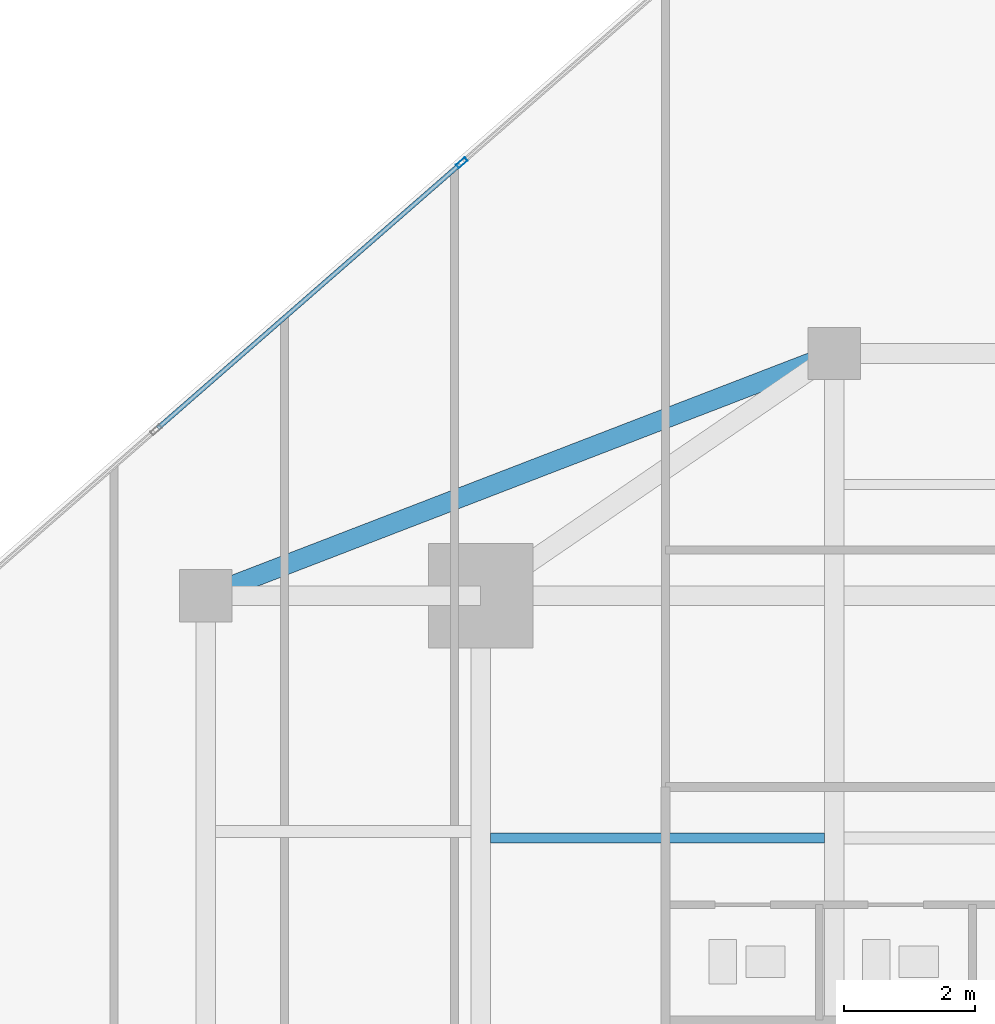
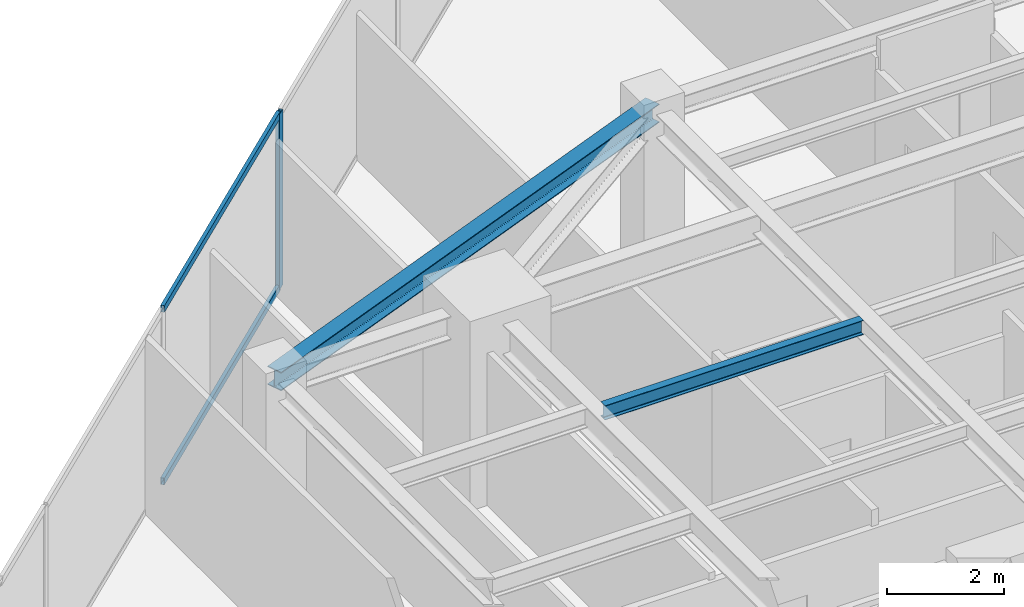
# One storey, part 14 of 24: 3 members, 2 beams, 1 element without a shape of its own.
"""IFC4 building model written with IfcOpenShell, lengths in metres."""

from ifc_helpers import new_model, si_unit, direction, frame, origin, origin_2d, place, context, subcontext, project, spatial, hollow_rectangle, i_section, extrude, source, transform, mapped, material, material_profile, profile_set, type_object, type_shapes, element, aggregate, save


model = new_model("IFC4")

# Units and contexts
model_context = context("Model", 3, precision=1e-05, world=origin(), true_north=direction((0.0, 1.0)))
body_context = subcontext(model_context, "Body", "Model", "MODEL_VIEW")
ifc_project = project(units=[si_unit("LENGTHUNIT", "METRE"), si_unit("AREAUNIT", "SQUARE_METRE"), si_unit("VOLUMEUNIT", "CUBIC_METRE"), si_unit("PLANEANGLEUNIT", "RADIAN"), si_unit("MASSUNIT", "GRAM", prefix="KILO")], contexts=[model_context])

# Site, building, storey
site_placement = place(None, origin())
site = spatial("IfcSite", under=ifc_project, at=site_placement, CompositionType="ELEMENT")
building_placement = place(site_placement, origin())
building = spatial("IfcBuilding", under=site, at=building_placement, Name="Krantzveldt Concourse Tower", CompositionType="ELEMENT")
storey_placement = place(building_placement, frame((0.0, 0.0, 250.75)))
storey = spatial("IfcBuildingStorey", under=building, at=storey_placement, Name="L61", CompositionType="ELEMENT", Elevation=250.75)

# Beams
ifc_material_1 = material(Name="Steel S355JR", Category="steel")
ifc_material_profile_1 = material_profile(ifc_material_1, i_section(OverallWidth=0.300048828125, OverallDepth=0.389892578125, WebThickness=0.010986328125, FlangeThickness=0.01904296875, FilletRadius=0.027099609375, at=origin_2d()), Name="Steel S355JR", Category="steel")
ifc_profile_set_1 = profile_set([ifc_material_profile_1], Name="Steel S355JR - HEA 400")
beam_type_1 = type_object("IfcBeamType", Name="BM-SP-HEA400", PredefinedType="SPANDREL", material=ifc_profile_set_1)
shared_shape_1 = source(origin(), body_context, "Body", "SweptSolid", [
    extrude(i_section(OverallWidth=0.300048828125, OverallDepth=0.389892578125, WebThickness=0.010986328125, FlangeThickness=0.01904296875, FilletRadius=0.027099609375, at=origin_2d()), origin(), (0.0, 0.0, 1.0), 10.288330078125),
])
type_shapes(beam_type_1, [shared_shape_1])
beam_1_placement = place(storey_placement, frame((21.0, 37.5, 3.47509765625), z_axis=(0.933097690408, 0.359622997257, 0.0), x_axis=(-0.359622997257, 0.933097690408, 0.0)))
element("IfcBeam", 1, at=beam_1_placement, inside=storey, type_object=beam_type_1, Name="L61 Tower Girder SP-R03", PredefinedType="SPANDREL", context=body_context, shape_type="MappedRepresentation", body=[
    mapped(shared_shape_1, transform((0.0, 0.0, 0.0), x_axis=(1.0, 0.0, 0.0), y_axis=(0.0, 1.0, 0.0), z_axis=(0.0, 0.0, 1.0), scale=1.0)),
])
ifc_material_profile_2 = material_profile(ifc_material_1, i_section(OverallWidth=0.14990234375, OverallDepth=0.300048828125, WebThickness=0.007080078125, FlangeThickness=0.0107421875, FilletRadius=0.014892578125, at=origin_2d()), Name="Steel S355JR", Category="steel")
ifc_profile_set_2 = profile_set([ifc_material_profile_2], Name="Steel S355JR - IPE 300")
beam_type_2 = type_object("IfcBeamType", Name="BM-J-IPE300", PredefinedType="JOIST", material=ifc_profile_set_2)
shared_shape_2 = source(origin(), body_context, "Body", "SweptSolid", [
    extrude(i_section(OverallWidth=0.14990234375, OverallDepth=0.300048828125, WebThickness=0.007080078125, FlangeThickness=0.0107421875, FilletRadius=0.014892578125, at=origin_2d()), origin(), (0.0, 0.0, 1.0), 5.099853515625),
])
type_shapes(beam_type_2, [shared_shape_2])
beam_2_placement = place(storey_placement, frame((25.35009765625, 33.800048828125, 3.52001953125), z_axis=(1.0, 0.0, 0.0), x_axis=(0.0, 1.0, 0.0)))
element("IfcBeam", 2, at=beam_2_placement, inside=storey, type_object=beam_type_2, Name="L61 Secondary Floor Joist JN-W2", PredefinedType="JOIST", context=body_context, shape_type="MappedRepresentation", body=[
    mapped(shared_shape_2, transform((0.0, 0.0, 0.0), x_axis=(1.0, 0.0, 0.0), y_axis=(0.0, 1.0, 0.0), z_axis=(0.0, 0.0, 1.0), scale=1.0)),
])

# Curtain wall, members
ifc_material_2 = material(Name="Anodised aluminium 6063-T6", Category="aluminium")
curtain_wall_type = type_object("IfcCurtainWallType", Name="CW3", PredefinedType="USERDEFINED", material=ifc_material_2)
curtain_wall_placement = place(storey_placement, origin())
curtain_wall = element("IfcCurtainWall", 3, at=curtain_wall_placement, inside=storey, type_object=curtain_wall_type, Name="CW-L61-F01", ObjectType="UNITISED CURTAIN WALL", PredefinedType="USERDEFINED")
ifc_material_profile_3 = material_profile(ifc_material_2, hollow_rectangle(XDim=0.070068359375, YDim=0.179931640625, WallThickness=0.0048828125, at=origin_2d()), Name="Anodised aluminium 6063-T6", Category="aluminium")
ifc_profile_set_3 = profile_set([ifc_material_profile_3], Name="Anodised aluminium 6063-T6 - ALU-MULL 180x70x5")
member_type_1 = type_object("IfcMemberType", Name="CW-MUL-180", PredefinedType="MULLION", material=ifc_profile_set_3)
shared_shape_3 = source(origin(), body_context, "Body", "SweptSolid", [
    extrude(hollow_rectangle(XDim=0.070068359375, YDim=0.179931640625, WallThickness=0.0048828125, at=origin_2d()), origin(), (0.0, 0.0, 1.0), 3.669921875),
])
type_shapes(member_type_1, [shared_shape_3])
member_1_placement = place(storey_placement, frame((24.911376953125, 44.11328125, 0.0), z_axis=(0.0, 0.0, 1.0), x_axis=(0.657703938567, -0.753276529034, 0.0)))
member_1 = element("IfcMember", 4, at=member_1_placement, type_object=member_type_1, Name="CW-Z34 mullion 3", PredefinedType="MULLION", context=body_context, shape_type="MappedRepresentation", body=[
    mapped(shared_shape_3, transform((0.0, 0.0, 0.0), x_axis=(1.0, 0.0, 0.0), y_axis=(0.0, 1.0, 0.0), z_axis=(0.0, 0.0, 1.0), scale=1.0)),
])
ifc_material_profile_4 = material_profile(ifc_material_2, hollow_rectangle(XDim=0.070068359375, YDim=0.139892578125, WallThickness=0.0048828125, at=origin_2d()), Name="Anodised aluminium 6063-T6", Category="aluminium")
ifc_profile_set_4 = profile_set([ifc_material_profile_4], Name="Anodised aluminium 6063-T6 - ALU-TRAN 140x70x5")
member_type_2 = type_object("IfcMemberType", Name="CW-TRN-150", PredefinedType="USERDEFINED", material=ifc_profile_set_4)
shared_shape_4 = source(origin(), body_context, "Body", "SweptSolid", [
    extrude(hollow_rectangle(XDim=0.070068359375, YDim=0.139892578125, WallThickness=0.0048828125, at=origin_2d()), origin(), (0.0, 0.0, 1.0), 6.1298828125),
])
type_shapes(member_type_2, [shared_shape_4])
member_2_placement = place(storey_placement, frame((24.885009765625, 44.09033203125, 0.034912109375), z_axis=(-0.753264636132, -0.657717559408, 0.0), x_axis=(0.657717559408, -0.753264636132, 0.0)))
member_2 = element("IfcMember", 5, at=member_2_placement, type_object=member_type_2, Name="CW-Z34 transom 3.1", ObjectType="TRANSOM", PredefinedType="USERDEFINED", context=body_context, shape_type="MappedRepresentation", body=[
    mapped(shared_shape_4, transform((0.0, 0.0, 0.0), x_axis=(1.0, 0.0, 0.0), y_axis=(0.0, 1.0, 0.0), z_axis=(0.0, 0.0, 1.0), scale=1.0)),
])
member_3_placement = place(storey_placement, frame((24.885009765625, 44.09033203125, 3.635009765625), z_axis=(-0.753264636132, -0.657717559408, 0.0), x_axis=(0.657717559408, -0.753264636132, 0.0)))
member_3 = element("IfcMember", 6, at=member_3_placement, type_object=member_type_2, Name="CW-Z34 transom 3.2", ObjectType="TRANSOM", PredefinedType="USERDEFINED", context=body_context, shape_type="MappedRepresentation", body=[
    mapped(shared_shape_4, transform((0.0, 0.0, 0.0), x_axis=(1.0, 0.0, 0.0), y_axis=(0.0, 1.0, 0.0), z_axis=(0.0, 0.0, 1.0), scale=1.0)),
])
aggregate(curtain_wall, [member_1, member_2, member_3])

save(model, "model.ifc")
